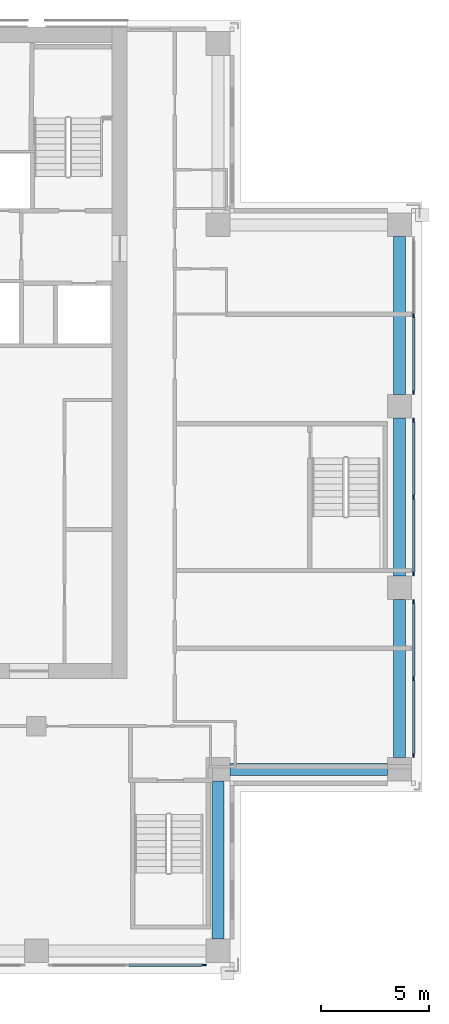
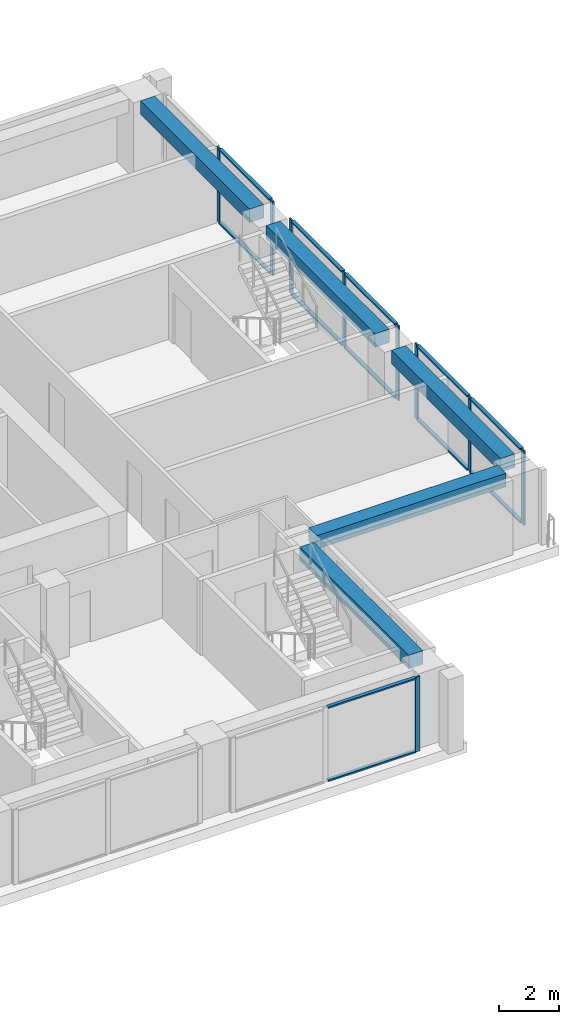
# One storey, part 5 of 16: 21 members, 5 beams, 4 elements without a shape of their own.
"""IFC4 building model written with IfcOpenShell, lengths in metres."""

from ifc_helpers import new_model, si_unit, direction, frame, origin, origin_2d, place, context, subcontext, project, spatial, rectangle, extrude, material, material_profile, profile_set, type_object, element, aggregate, save


model = new_model("IFC4")

# Units and contexts
model_context = context("Model", 3, precision=1e-05, world=origin(), true_north=direction((0.0, 1.0)))
body_context = subcontext(model_context, "Body", "Model", "MODEL_VIEW")
ifc_project = project(units=[si_unit("LENGTHUNIT", "METRE"), si_unit("AREAUNIT", "SQUARE_METRE"), si_unit("VOLUMEUNIT", "CUBIC_METRE"), si_unit("PLANEANGLEUNIT", "RADIAN"), si_unit("MASSUNIT", "GRAM", prefix="KILO")], contexts=[model_context])

# Site, building, storey
site_placement = place(None, origin())
site = spatial("IfcSite", under=ifc_project, at=site_placement, CompositionType="ELEMENT")
building_placement = place(site_placement, origin())
building = spatial("IfcBuilding", under=site, at=building_placement, Name="Vermilion Ogive Tower", CompositionType="ELEMENT")
storey_placement = place(building_placement, frame((0.0, 0.0, 146.89990234375)))
storey = spatial("IfcBuildingStorey", under=building, at=storey_placement, Name="L37", CompositionType="ELEMENT", Elevation=146.89990234375)

# Curtain wall, member
ifc_material_1 = material(Name="Low-iron laminated glazing in aluminium frame", Category="aluminium")
curtain_wall_type = type_object("IfcCurtainWallType", Name="Curtain wall CW7", PredefinedType="NOTDEFINED", material=ifc_material_1)
curtain_wall_1_placement = place(storey_placement, origin())
curtain_wall_1 = element("IfcCurtainWall", 1, at=curtain_wall_1_placement, inside=storey, type_object=curtain_wall_type, Name="Glazed skin S3", PredefinedType="NOTDEFINED")
ifc_material_2 = material(Name="Aluminium mullion", Category="aluminium")
ifc_material_profile_1 = material_profile(ifc_material_2, rectangle(XDim=0.06005859375, YDim=0.179931640625, at=origin_2d()), Name="AL 60x180")
ifc_profile_set_1 = profile_set([ifc_material_profile_1], Name="Aluminium mullion")
member_type_1 = type_object("IfcMemberType", Name="CW7 mullion 60x180", PredefinedType="MULLION", material=ifc_profile_set_1)
member_1_placement = place(storey_placement, frame((11.9599609375, -21.64990234375, 0.0), z_axis=(0.0, 0.0, 1.0), x_axis=(0.0, 1.0, 0.0)))
member_1 = element("IfcMember", 2, at=member_1_placement, type_object=member_type_1, Name="CW7-S3 mullion 3", PredefinedType="MULLION", context=body_context, shape_type="SweptSolid", body=[
    extrude(rectangle(XDim=0.06005859375, YDim=0.179931640625, at=origin_2d()), origin(), (0.0, 0.0, 1.0), 3.050048828125),
])

# Curtain wall, members
curtain_wall_2_placement = place(storey_placement, origin())
curtain_wall_2 = element("IfcCurtainWall", 3, at=curtain_wall_2_placement, inside=storey, type_object=curtain_wall_type, Name="Glazed skin E1", PredefinedType="NOTDEFINED")
member_2_placement = place(storey_placement, frame((21.64990234375, -11.9599609375, 0.0), z_axis=(0.0, 0.0, 1.0), x_axis=(-1.0, 0.0, 0.0)))
member_2 = element("IfcMember", 4, at=member_2_placement, type_object=member_type_1, Name="CW7-E1 mullion 1", PredefinedType="MULLION", context=body_context, shape_type="SweptSolid", body=[
    extrude(rectangle(XDim=0.06005859375, YDim=0.179931640625, at=origin_2d()), origin(), (0.0, 0.0, 1.0), 3.050048828125),
])
member_3_placement = place(storey_placement, frame((21.64990234375, -8.39990234375, 0.0), z_axis=(0.0, 0.0, 1.0), x_axis=(-1.0, 0.0, 0.0)))
member_3 = element("IfcMember", 5, at=member_3_placement, type_object=member_type_1, Name="CW7-E1 mullion 2", PredefinedType="MULLION", context=body_context, shape_type="SweptSolid", body=[
    extrude(rectangle(XDim=0.06005859375, YDim=0.179931640625, at=origin_2d()), origin(), (0.0, 0.0, 1.0), 3.050048828125),
])
member_4_placement = place(storey_placement, frame((21.64990234375, -4.840087890625, 0.0), z_axis=(0.0, 0.0, 1.0), x_axis=(-1.0, 0.0, 0.0)))
member_4 = element("IfcMember", 6, at=member_4_placement, type_object=member_type_1, Name="CW7-E1 mullion 3", PredefinedType="MULLION", context=body_context, shape_type="SweptSolid", body=[
    extrude(rectangle(XDim=0.06005859375, YDim=0.179931640625, at=origin_2d()), origin(), (0.0, 0.0, 1.0), 3.050048828125),
])

curtain_wall_3_placement = place(storey_placement, origin())
curtain_wall_3 = element("IfcCurtainWall", 7, at=curtain_wall_3_placement, inside=storey, type_object=curtain_wall_type, Name="Glazed skin E2", PredefinedType="NOTDEFINED")
member_5_placement = place(storey_placement, frame((21.64990234375, -3.56005859375, 0.0), z_axis=(0.0, 0.0, 1.0), x_axis=(-1.0, 0.0, 0.0)))
member_5 = element("IfcMember", 8, at=member_5_placement, type_object=member_type_1, Name="CW7-E2 mullion 1", PredefinedType="MULLION", context=body_context, shape_type="SweptSolid", body=[
    extrude(rectangle(XDim=0.06005859375, YDim=0.179931640625, at=origin_2d()), origin(), (0.0, 0.0, 1.0), 3.050048828125),
])
member_6_placement = place(storey_placement, frame((21.64990234375, 0.0, 0.0), z_axis=(0.0, 0.0, 1.0), x_axis=(-1.0, 0.0, 0.0)))
member_6 = element("IfcMember", 9, at=member_6_placement, type_object=member_type_1, Name="CW7-E2 mullion 2", PredefinedType="MULLION", context=body_context, shape_type="SweptSolid", body=[
    extrude(rectangle(XDim=0.06005859375, YDim=0.179931640625, at=origin_2d()), origin(), (0.0, 0.0, 1.0), 3.050048828125),
])
member_7_placement = place(storey_placement, frame((21.64990234375, 3.56005859375, 0.0), z_axis=(0.0, 0.0, 1.0), x_axis=(-1.0, 0.0, 0.0)))
member_7 = element("IfcMember", 10, at=member_7_placement, type_object=member_type_1, Name="CW7-E2 mullion 3", PredefinedType="MULLION", context=body_context, shape_type="SweptSolid", body=[
    extrude(rectangle(XDim=0.06005859375, YDim=0.179931640625, at=origin_2d()), origin(), (0.0, 0.0, 1.0), 3.050048828125),
])

curtain_wall_4_placement = place(storey_placement, origin())
curtain_wall_4 = element("IfcCurtainWall", 11, at=curtain_wall_4_placement, inside=storey, type_object=curtain_wall_type, Name="Glazed skin E3", PredefinedType="NOTDEFINED")
member_8_placement = place(storey_placement, frame((21.64990234375, 4.840087890625, 0.0), z_axis=(0.0, 0.0, 1.0), x_axis=(-1.0, 0.0, 0.0)))
member_8 = element("IfcMember", 12, at=member_8_placement, type_object=member_type_1, Name="CW7-E3 mullion 1", PredefinedType="MULLION", context=body_context, shape_type="SweptSolid", body=[
    extrude(rectangle(XDim=0.06005859375, YDim=0.179931640625, at=origin_2d()), origin(), (0.0, 0.0, 1.0), 3.050048828125),
])
member_9_placement = place(storey_placement, frame((21.64990234375, 8.39990234375, 0.0), z_axis=(0.0, 0.0, 1.0), x_axis=(-1.0, 0.0, 0.0)))
member_9 = element("IfcMember", 13, at=member_9_placement, type_object=member_type_1, Name="CW7-E3 mullion 2", PredefinedType="MULLION", context=body_context, shape_type="SweptSolid", body=[
    extrude(rectangle(XDim=0.06005859375, YDim=0.179931640625, at=origin_2d()), origin(), (0.0, 0.0, 1.0), 3.050048828125),
])

# Member
ifc_material_3 = material(Name="Aluminium transom", Category="aluminium")
ifc_material_profile_2 = material_profile(ifc_material_3, rectangle(XDim=0.139892578125, YDim=0.06005859375, at=origin_2d()), Name="AL 60x140")
ifc_profile_set_2 = profile_set([ifc_material_profile_2], Name="Aluminium transom")
member_type_2 = type_object("IfcMemberType", Name="CW7 transom 60x140", PredefinedType="USERDEFINED", material=ifc_profile_set_2)
member_10_placement = place(storey_placement, frame((8.489990234375, -21.64990234375, 0.030029296875), z_axis=(1.0, 0.0, 0.0), x_axis=(0.0, 1.0, 0.0)))
member_10 = element("IfcMember", 14, at=member_10_placement, type_object=member_type_2, Name="CW7-S3 transom 2.1", ObjectType="TRANSOM", PredefinedType="USERDEFINED", context=body_context, shape_type="SweptSolid", body=[
    extrude(rectangle(XDim=0.139892578125, YDim=0.06005859375, at=origin_2d()), origin(), (0.0, 0.0, 1.0), 3.380126953125),
])

member_11_placement = place(storey_placement, frame((8.489990234375, -21.64990234375, 3.02001953125), z_axis=(1.0, 0.0, 0.0), x_axis=(0.0, 1.0, 0.0)))
member_11 = element("IfcMember", 15, at=member_11_placement, type_object=member_type_2, Name="CW7-S3 transom 2.2", ObjectType="TRANSOM", PredefinedType="USERDEFINED", context=body_context, shape_type="SweptSolid", body=[
    extrude(rectangle(XDim=0.139892578125, YDim=0.06005859375, at=origin_2d()), origin(), (0.0, 0.0, 1.0), 3.380126953125),
])

aggregate(curtain_wall_1, [member_1, member_10, member_11])

member_12_placement = place(storey_placement, frame((21.64990234375, -11.8701171875, 0.030029296875), z_axis=(0.0, 1.0, 0.0), x_axis=(-1.0, 0.0, 0.0)))
member_12 = element("IfcMember", 16, at=member_12_placement, type_object=member_type_2, Name="CW7-E1 transom 1.1", ObjectType="TRANSOM", PredefinedType="USERDEFINED", context=body_context, shape_type="SweptSolid", body=[
    extrude(rectangle(XDim=0.139892578125, YDim=0.06005859375, at=origin_2d()), origin(), (0.0, 0.0, 1.0), 3.380126953125),
])

member_13_placement = place(storey_placement, frame((21.64990234375, -11.8701171875, 3.02001953125), z_axis=(0.0, 1.0, 0.0), x_axis=(-1.0, 0.0, 0.0)))
member_13 = element("IfcMember", 17, at=member_13_placement, type_object=member_type_2, Name="CW7-E1 transom 1.2", ObjectType="TRANSOM", PredefinedType="USERDEFINED", context=body_context, shape_type="SweptSolid", body=[
    extrude(rectangle(XDim=0.139892578125, YDim=0.06005859375, at=origin_2d()), origin(), (0.0, 0.0, 1.0), 3.380126953125),
])

member_14_placement = place(storey_placement, frame((21.64990234375, -8.31005859375, 0.030029296875), z_axis=(0.0, 1.0, 0.0), x_axis=(-1.0, 0.0, 0.0)))
member_14 = element("IfcMember", 18, at=member_14_placement, type_object=member_type_2, Name="CW7-E1 transom 2.1", ObjectType="TRANSOM", PredefinedType="USERDEFINED", context=body_context, shape_type="SweptSolid", body=[
    extrude(rectangle(XDim=0.139892578125, YDim=0.06005859375, at=origin_2d()), origin(), (0.0, 0.0, 1.0), 3.380126953125),
])

member_15_placement = place(storey_placement, frame((21.64990234375, -8.31005859375, 3.02001953125), z_axis=(0.0, 1.0, 0.0), x_axis=(-1.0, 0.0, 0.0)))
member_15 = element("IfcMember", 19, at=member_15_placement, type_object=member_type_2, Name="CW7-E1 transom 2.2", ObjectType="TRANSOM", PredefinedType="USERDEFINED", context=body_context, shape_type="SweptSolid", body=[
    extrude(rectangle(XDim=0.139892578125, YDim=0.06005859375, at=origin_2d()), origin(), (0.0, 0.0, 1.0), 3.380126953125),
])

aggregate(curtain_wall_2, [member_2, member_3, member_4, member_12, member_13, member_14, member_15])

member_16_placement = place(storey_placement, frame((21.64990234375, -3.469970703125, 0.030029296875), z_axis=(0.0, 1.0, 0.0), x_axis=(-1.0, 0.0, 0.0)))
member_16 = element("IfcMember", 20, at=member_16_placement, type_object=member_type_2, Name="CW7-E2 transom 1.1", ObjectType="TRANSOM", PredefinedType="USERDEFINED", context=body_context, shape_type="SweptSolid", body=[
    extrude(rectangle(XDim=0.139892578125, YDim=0.06005859375, at=origin_2d()), origin(), (0.0, 0.0, 1.0), 3.3798828125),
])

member_17_placement = place(storey_placement, frame((21.64990234375, -3.469970703125, 3.02001953125), z_axis=(0.0, 1.0, 0.0), x_axis=(-1.0, 0.0, 0.0)))
member_17 = element("IfcMember", 21, at=member_17_placement, type_object=member_type_2, Name="CW7-E2 transom 1.2", ObjectType="TRANSOM", PredefinedType="USERDEFINED", context=body_context, shape_type="SweptSolid", body=[
    extrude(rectangle(XDim=0.139892578125, YDim=0.06005859375, at=origin_2d()), origin(), (0.0, 0.0, 1.0), 3.3798828125),
])

member_18_placement = place(storey_placement, frame((21.64990234375, 0.090087890625, 0.030029296875), z_axis=(0.0, 1.0, 0.0), x_axis=(-1.0, 0.0, 0.0)))
member_18 = element("IfcMember", 22, at=member_18_placement, type_object=member_type_2, Name="CW7-E2 transom 2.1", ObjectType="TRANSOM", PredefinedType="USERDEFINED", context=body_context, shape_type="SweptSolid", body=[
    extrude(rectangle(XDim=0.139892578125, YDim=0.06005859375, at=origin_2d()), origin(), (0.0, 0.0, 1.0), 3.3798828125),
])

member_19_placement = place(storey_placement, frame((21.64990234375, 0.090087890625, 3.02001953125), z_axis=(0.0, 1.0, 0.0), x_axis=(-1.0, 0.0, 0.0)))
member_19 = element("IfcMember", 23, at=member_19_placement, type_object=member_type_2, Name="CW7-E2 transom 2.2", ObjectType="TRANSOM", PredefinedType="USERDEFINED", context=body_context, shape_type="SweptSolid", body=[
    extrude(rectangle(XDim=0.139892578125, YDim=0.06005859375, at=origin_2d()), origin(), (0.0, 0.0, 1.0), 3.3798828125),
])

aggregate(curtain_wall_3, [member_5, member_6, member_7, member_16, member_17, member_18, member_19])

member_20_placement = place(storey_placement, frame((21.64990234375, 4.929931640625, 0.030029296875), z_axis=(0.0, 1.0, 0.0), x_axis=(-1.0, 0.0, 0.0)))
member_20 = element("IfcMember", 24, at=member_20_placement, type_object=member_type_2, Name="CW7-E3 transom 1.1", ObjectType="TRANSOM", PredefinedType="USERDEFINED", context=body_context, shape_type="SweptSolid", body=[
    extrude(rectangle(XDim=0.139892578125, YDim=0.06005859375, at=origin_2d()), origin(), (0.0, 0.0, 1.0), 3.380126953125),
])

member_21_placement = place(storey_placement, frame((21.64990234375, 4.929931640625, 3.02001953125), z_axis=(0.0, 1.0, 0.0), x_axis=(-1.0, 0.0, 0.0)))
member_21 = element("IfcMember", 25, at=member_21_placement, type_object=member_type_2, Name="CW7-E3 transom 1.2", ObjectType="TRANSOM", PredefinedType="USERDEFINED", context=body_context, shape_type="SweptSolid", body=[
    extrude(rectangle(XDim=0.139892578125, YDim=0.06005859375, at=origin_2d()), origin(), (0.0, 0.0, 1.0), 3.380126953125),
])

aggregate(curtain_wall_4, [member_8, member_9, member_20, member_21])

# Beams
ifc_material_4 = material(Name="Concrete B45", Category="concrete")
ifc_material_profile_3 = material_profile(ifc_material_4, rectangle(XDim=0.550048828125, YDim=0.550048828125, at=origin_2d()), Name="550 x 550")
ifc_profile_set_3 = profile_set([ifc_material_profile_3], Name="Concrete B45")
beam_type = type_object("IfcBeamType", Name="Edge beam 550 x 550 B45", PredefinedType="BEAM", material=ifc_profile_set_3)
for number, where, z_axis, x_axis, name in (
    (26, (12.60009765625, -20.449951171875, 2.775146484375), (0.0, 1.0, 0.0), (-1.0, 0.0, 0.0), "L37-EB-4"),
    (27, (13.14990234375, -12.60009765625, 2.775146484375), (1.0, 0.0, 0.0), (0.0, 1.0, 0.0), "L37-EB-5"),
    (28, (21.0, -12.050048828125, 2.775146484375), (0.0, 1.0, 0.0), (-1.0, 0.0, 0.0), "L37-EB-6"),
):
    element("IfcBeam", number, at=place(storey_placement, frame(where, z_axis=z_axis, x_axis=x_axis)), inside=storey, type_object=beam_type, Name=name, PredefinedType="BEAM", context=body_context, shape_type="SweptSolid", body=[
        extrude(rectangle(XDim=0.550048828125, YDim=0.550048828125, at=origin_2d()), origin(), (0.0, 0.0, 1.0), 7.300048828125),
    ])
beam_1_placement = place(storey_placement, frame((21.0, -3.64990234375, 2.775146484375), z_axis=(0.0, 1.0, 0.0), x_axis=(-1.0, 0.0, 0.0)))
element("IfcBeam", 29, at=beam_1_placement, inside=storey, type_object=beam_type, Name="L37-EB-7", PredefinedType="BEAM", context=body_context, shape_type="SweptSolid", body=[
    extrude(rectangle(XDim=0.550048828125, YDim=0.550048828125, at=origin_2d()), origin(), (0.0, 0.0, 1.0), 7.2998046875),
])
beam_2_placement = place(storey_placement, frame((21.0, 4.75, 2.775146484375), z_axis=(0.0, 1.0, 0.0), x_axis=(-1.0, 0.0, 0.0)))
element("IfcBeam", 30, at=beam_2_placement, inside=storey, type_object=beam_type, Name="L37-EB-8", PredefinedType="BEAM", context=body_context, shape_type="SweptSolid", body=[
    extrude(rectangle(XDim=0.550048828125, YDim=0.550048828125, at=origin_2d()), origin(), (0.0, 0.0, 1.0), 7.300048828125),
])

save(model, "model.ifc")
